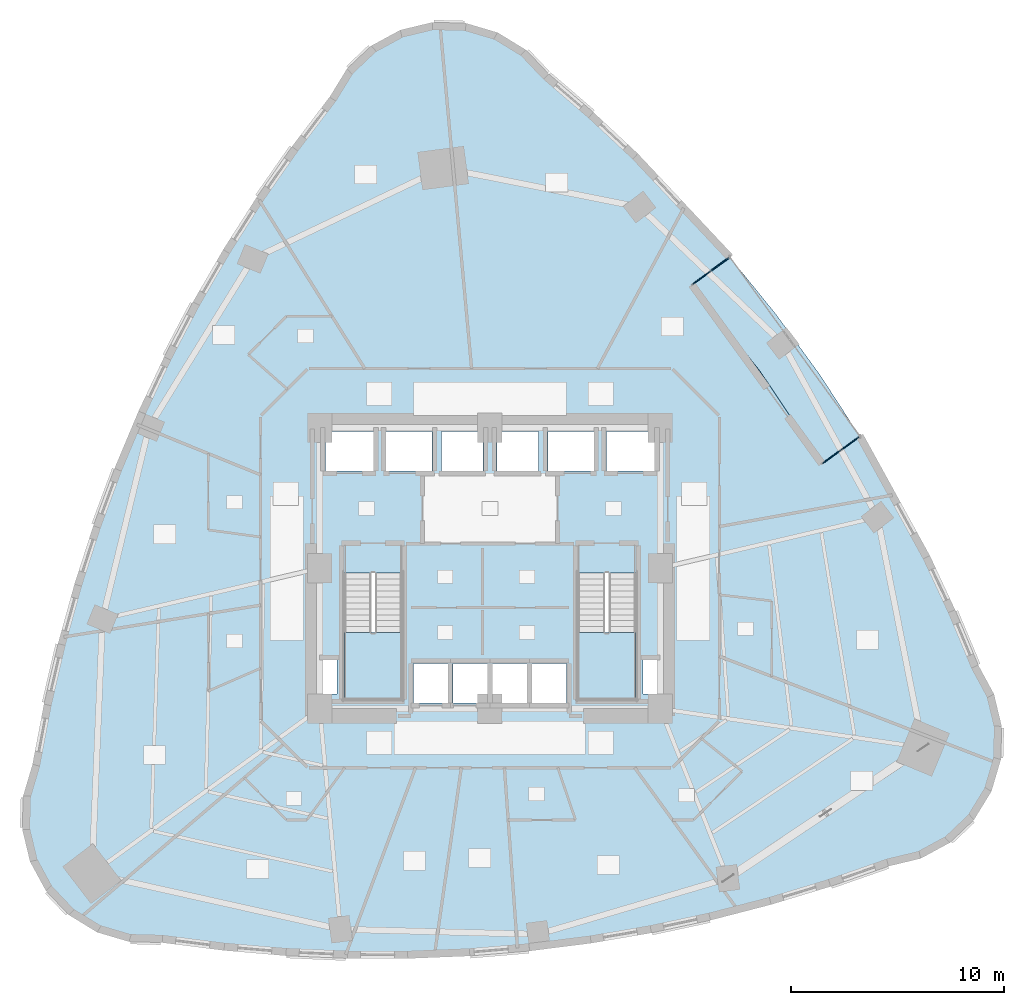
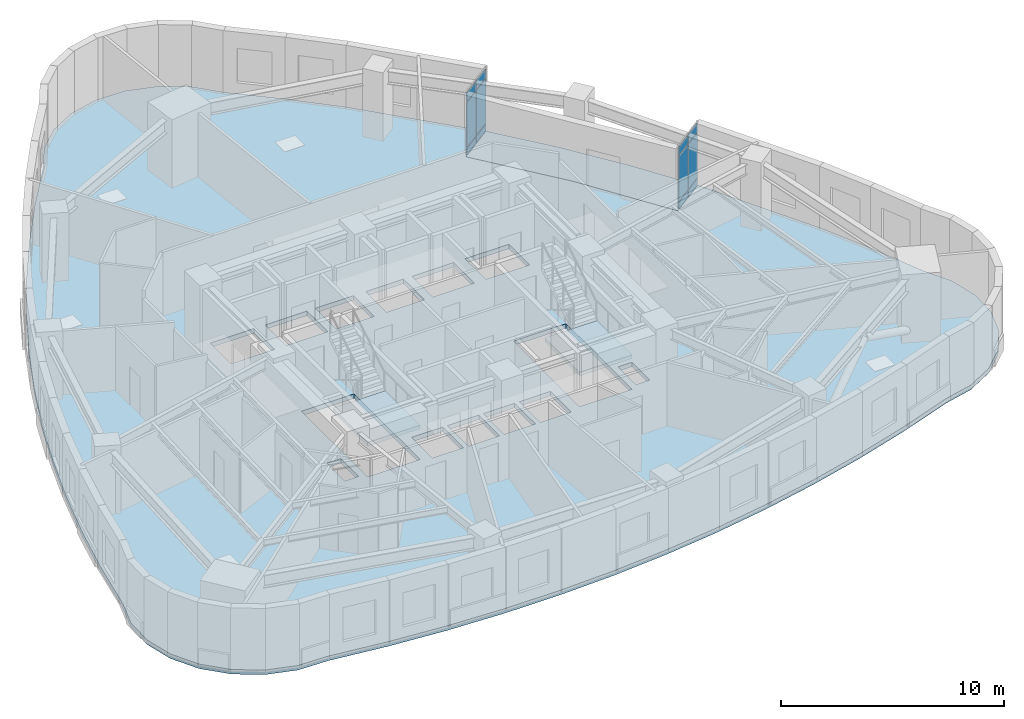
# One storey, part 7 of 15: 12 plates, 4 slabs, 4 elements without a shape of their own.
"""IFC4 building model written with IfcOpenShell, lengths in metres."""

from ifc_helpers import new_model, si_unit, direction, frame, origin, origin_2d, place, context, subcontext, project, spatial, polyline, rectangle, outline, extrude, material, layer, layer_set, type_object, element, aggregate, save


model = new_model("IFC4")

# Units and contexts
model_context = context("Model", 3, precision=1e-05, world=origin(), true_north=direction((0.0, 1.0)))
body_context = subcontext(model_context, "Body", "Model", "MODEL_VIEW")
ifc_project = project(units=[si_unit("LENGTHUNIT", "METRE"), si_unit("AREAUNIT", "SQUARE_METRE"), si_unit("VOLUMEUNIT", "CUBIC_METRE"), si_unit("PLANEANGLEUNIT", "RADIAN"), si_unit("MASSUNIT", "GRAM", prefix="KILO")], contexts=[model_context])

# Site, building, storey
site_placement = place(None, origin())
site = spatial("IfcSite", under=ifc_project, at=site_placement, CompositionType="ELEMENT")
building_placement = place(site_placement, origin())
building = spatial("IfcBuilding", under=site, at=building_placement, Name="Ndelora Gate Hotel", CompositionType="ELEMENT")
storey_placement = place(building_placement, frame((0.0, 0.0, 56.75)))
storey = spatial("IfcBuildingStorey", under=building, at=storey_placement, Name="L13", CompositionType="ELEMENT", Elevation=56.75)

# Curtain wall, plates
ifc_material_1 = material(Name="Bronze Anodised Unitised Aluminium and Low-E Glass", Category="aluminium")
ifc_layer_1 = layer(ifc_material_1, 0.199951171875)
ifc_layer_set_1 = layer_set([ifc_layer_1], Name="Bronze Anodised Unitised Aluminium and Low-E Glass")
curtain_wall_type = type_object("IfcCurtainWallType", Name="CW-SYS-3", PredefinedType="NOTDEFINED", material=ifc_layer_set_1)
curtain_wall_1_placement = place(storey_placement, origin())
curtain_wall_1 = element("IfcCurtainWall", 1, at=curtain_wall_1_placement, inside=storey, type_object=curtain_wall_type, Name="L13 Sky-Garden Loggia Side Curtain Wall CW3-1", PredefinedType="NOTDEFINED")
ifc_material_2 = material(Name="Solar-Control Low-E Insulated Glazing", Category="glass")
ifc_layer_2 = layer(ifc_material_2, 0.048095703125)
ifc_layer_set_2 = layer_set([ifc_layer_2], Name="Solar-Control Low-E Insulated Glazing")
plate_type = type_object("IfcPlateType", Name="PL-CW-GLZ36", PredefinedType="CURTAIN_PANEL", material=ifc_layer_set_2)
plate_1_placement = place(storey_placement, frame((16.055908203125, 5.237548828125, 0.05908203125), z_axis=(0.0, 0.0, 1.0), x_axis=(0.809017078969, 0.587785135859, 0.0)))
plate_1 = element("IfcPlate", 2, at=plate_1_placement, type_object=plate_type, Name="CW3 panel 1.1", PredefinedType="CURTAIN_PANEL", context=body_context, shape_type="SweptSolid", body=[
    extrude(rectangle(XDim=1.014404296875, YDim=0.048095703125, at=origin_2d()), origin(), (0.0, 0.0, 1.0), 0.364501953125),
])
plate_2_placement = place(storey_placement, frame((16.055908203125, 5.237548828125, 0.4765625), z_axis=(0.0, 0.0, 1.0), x_axis=(0.809017078969, 0.587785135859, 0.0)))
plate_2 = element("IfcPlate", 3, at=plate_2_placement, type_object=plate_type, Name="CW3 panel 1.2", PredefinedType="CURTAIN_PANEL", context=body_context, shape_type="SweptSolid", body=[
    extrude(rectangle(XDim=1.014404296875, YDim=0.048095703125, at=origin_2d()), origin(), (0.0, 0.0, 1.0), 2.447021484375),
])
plate_3_placement = place(storey_placement, frame((16.055908203125, 5.237548828125, 2.9765625), z_axis=(0.0, 0.0, 1.0), x_axis=(0.809017078969, 0.587785135859, 0.0)))
plate_3 = element("IfcPlate", 4, at=plate_3_placement, type_object=plate_type, Name="CW3 panel 1.3", PredefinedType="CURTAIN_PANEL", context=body_context, shape_type="SweptSolid", body=[
    extrude(rectangle(XDim=1.014404296875, YDim=0.048095703125, at=origin_2d()), origin(), (0.0, 0.0, 1.0), 0.464599609375),
])
plate_4_placement = place(storey_placement, frame((16.91943359375, 5.864990234375, 0.05908203125), z_axis=(0.0, 0.0, 1.0), x_axis=(0.809017078969, 0.587785135859, 0.0)))
plate_4 = element("IfcPlate", 5, at=plate_4_placement, type_object=plate_type, Name="CW3 panel 2.1", PredefinedType="CURTAIN_PANEL", context=body_context, shape_type="SweptSolid", body=[
    extrude(rectangle(XDim=1.014404296875, YDim=0.048095703125, at=origin_2d()), origin(), (0.0, 0.0, 1.0), 0.364501953125),
])
plate_5_placement = place(storey_placement, frame((16.91943359375, 5.864990234375, 0.4765625), z_axis=(0.0, 0.0, 1.0), x_axis=(0.809017078969, 0.587785135859, 0.0)))
plate_5 = element("IfcPlate", 6, at=plate_5_placement, type_object=plate_type, Name="CW3 panel 2.2", PredefinedType="CURTAIN_PANEL", context=body_context, shape_type="SweptSolid", body=[
    extrude(rectangle(XDim=1.014404296875, YDim=0.048095703125, at=origin_2d()), origin(), (0.0, 0.0, 1.0), 2.447021484375),
])
plate_6_placement = place(storey_placement, frame((16.91943359375, 5.864990234375, 2.9765625), z_axis=(0.0, 0.0, 1.0), x_axis=(0.809017078969, 0.587785135859, 0.0)))
plate_6 = element("IfcPlate", 7, at=plate_6_placement, type_object=plate_type, Name="CW3 panel 2.3", PredefinedType="CURTAIN_PANEL", context=body_context, shape_type="SweptSolid", body=[
    extrude(rectangle(XDim=1.014404296875, YDim=0.048095703125, at=origin_2d()), origin(), (0.0, 0.0, 1.0), 0.464599609375),
])
aggregate(curtain_wall_1, [plate_1, plate_2, plate_3, plate_4, plate_5, plate_6])

curtain_wall_2_placement = place(storey_placement, origin())
curtain_wall_2 = element("IfcCurtainWall", 8, at=curtain_wall_2_placement, inside=storey, type_object=curtain_wall_type, Name="L13 Sky-Garden Loggia Side Curtain Wall CW3-2", PredefinedType="NOTDEFINED")
plate_7_placement = place(storey_placement, frame((10.806396484375, 14.27880859375, 0.05908203125), z_axis=(0.0, 0.0, 1.0), x_axis=(-0.809017078969, -0.587785135859, 0.0)))
plate_7 = element("IfcPlate", 9, at=plate_7_placement, type_object=plate_type, Name="CW3 panel 1.1", PredefinedType="CURTAIN_PANEL", context=body_context, shape_type="SweptSolid", body=[
    extrude(rectangle(XDim=1.014404296875, YDim=0.048095703125, at=origin_2d()), origin(), (0.0, 0.0, 1.0), 0.364501953125),
])
plate_8_placement = place(storey_placement, frame((10.806396484375, 14.27880859375, 0.4765625), z_axis=(0.0, 0.0, 1.0), x_axis=(-0.809017078969, -0.587785135859, 0.0)))
plate_8 = element("IfcPlate", 10, at=plate_8_placement, type_object=plate_type, Name="CW3 panel 1.2", PredefinedType="CURTAIN_PANEL", context=body_context, shape_type="SweptSolid", body=[
    extrude(rectangle(XDim=1.014404296875, YDim=0.048095703125, at=origin_2d()), origin(), (0.0, 0.0, 1.0), 2.447021484375),
])
plate_9_placement = place(storey_placement, frame((10.806396484375, 14.27880859375, 2.9765625), z_axis=(0.0, 0.0, 1.0), x_axis=(-0.809017078969, -0.587785135859, 0.0)))
plate_9 = element("IfcPlate", 11, at=plate_9_placement, type_object=plate_type, Name="CW3 panel 1.3", PredefinedType="CURTAIN_PANEL", context=body_context, shape_type="SweptSolid", body=[
    extrude(rectangle(XDim=1.014404296875, YDim=0.048095703125, at=origin_2d()), origin(), (0.0, 0.0, 1.0), 0.464599609375),
])
plate_10_placement = place(storey_placement, frame((9.94287109375, 13.6513671875, 0.05908203125), z_axis=(0.0, 0.0, 1.0), x_axis=(-0.809017078969, -0.587785135859, 0.0)))
plate_10 = element("IfcPlate", 12, at=plate_10_placement, type_object=plate_type, Name="CW3 panel 2.1", PredefinedType="CURTAIN_PANEL", context=body_context, shape_type="SweptSolid", body=[
    extrude(rectangle(XDim=1.014404296875, YDim=0.048095703125, at=origin_2d()), origin(), (0.0, 0.0, 1.0), 0.364501953125),
])
plate_11_placement = place(storey_placement, frame((9.94287109375, 13.6513671875, 0.4765625), z_axis=(0.0, 0.0, 1.0), x_axis=(-0.809017078969, -0.587785135859, 0.0)))
plate_11 = element("IfcPlate", 13, at=plate_11_placement, type_object=plate_type, Name="CW3 panel 2.2", PredefinedType="CURTAIN_PANEL", context=body_context, shape_type="SweptSolid", body=[
    extrude(rectangle(XDim=1.014404296875, YDim=0.048095703125, at=origin_2d()), origin(), (0.0, 0.0, 1.0), 2.447021484375),
])
plate_12_placement = place(storey_placement, frame((9.94287109375, 13.6513671875, 2.9765625), z_axis=(0.0, 0.0, 1.0), x_axis=(-0.809017078969, -0.587785135859, 0.0)))
plate_12 = element("IfcPlate", 14, at=plate_12_placement, type_object=plate_type, Name="CW3 panel 2.3", PredefinedType="CURTAIN_PANEL", context=body_context, shape_type="SweptSolid", body=[
    extrude(rectangle(XDim=1.014404296875, YDim=0.048095703125, at=origin_2d()), origin(), (0.0, 0.0, 1.0), 0.464599609375),
])
aggregate(curtain_wall_2, [plate_7, plate_8, plate_9, plate_10, plate_11, plate_12])

# Stair, slab
ifc_material_3 = material(Name="Precast concrete C40/50", Category="concrete")
stair_type = type_object("IfcStairType", Name="STR-DOG-CORE", PredefinedType="HALF_TURN_STAIR", material=ifc_material_3)
stair_1_placement = place(storey_placement, origin())
stair_1 = element("IfcStair", 15, at=stair_1_placement, inside=storey, type_object=stair_type, Name="L13 Protected Core Exit Stair ST4", PredefinedType="HALF_TURN_STAIR")
ifc_layer_3 = layer(ifc_material_3, 0.219970703125)
ifc_layer_set_3 = layer_set([ifc_layer_3], Name="Precast concrete C40/50")
slab_type_1 = type_object("IfcSlabType", Name="SL-LAND-220", PredefinedType="LANDING", material=ifc_layer_set_3)
slab_1_placement = place(storey_placement, frame((0.0, 0.0, 1.675048828125)))
slab_1 = element("IfcSlab", 16, at=slab_1_placement, type_object=slab_type_1, Name="ST4 landing 1", PredefinedType="LANDING", context=body_context, shape_type="SweptSolid", body=[
    extrude(outline(polyline([(-6.85009765625, -3.030029296875), (-6.85009765625, -6.14990234375), (-4.1298828125, -6.14990234375), (-4.1298828125, -3.030029296875), (-6.85009765625, -3.030029296875)])), origin(), (0.0, 0.0, 1.0), 0.199951171875),
])
aggregate(stair_1, [slab_1])

stair_2_placement = place(storey_placement, origin())
stair_2 = element("IfcStair", 17, at=stair_2_placement, inside=storey, type_object=stair_type, Name="L13 Protected Core Exit Stair ST5", PredefinedType="HALF_TURN_STAIR")
slab_2_placement = place(storey_placement, frame((0.0, 0.0, 1.675048828125)))
slab_2 = element("IfcSlab", 18, at=slab_2_placement, type_object=slab_type_1, Name="ST5 landing 1", PredefinedType="LANDING", context=body_context, shape_type="SweptSolid", body=[
    extrude(outline(polyline([(4.1298828125, -3.030029296875), (4.1298828125, -6.14990234375), (6.85009765625, -6.14990234375), (6.85009765625, -3.030029296875), (4.1298828125, -3.030029296875)])), origin(), (0.0, 0.0, 1.0), 0.199951171875),
])
aggregate(stair_2, [slab_2])

# Slabs
ifc_layer_4 = layer(ifc_material_3, 0.239990234375)
ifc_layer_set_4 = layer_set([ifc_layer_4], Name="Precast concrete C40/50")
slab_type_2 = type_object("IfcSlabType", Name="SL-TER-240", PredefinedType="FLOOR", material=ifc_layer_set_4)
slab_3_placement = place(storey_placement, frame((0.0, 0.0, -0.239990234375)))
element("IfcSlab", 19, at=slab_3_placement, inside=storey, type_object=slab_type_2, Name="L13 Sky Garden Loggia Terrace Slab", PredefinedType="FLOOR", context=body_context, shape_type="SweptSolid", body=[
    extrude(outline(polyline([(15.59765625, 4.90478515625), (17.37744140625, 6.197998046875), (15.5048828125, 9.07958984375), (13.426513671875, 11.940185546875), (11.264404296875, 14.61181640625), (9.484619140625, 13.318603515625), (12.70458984375, 9.23046875), (15.59765625, 4.90478515625)])), origin(), (0.0, 0.0, 1.0), 0.239990234375),
])
ifc_material_4 = material(Name="Concrete C40/50", Category="concrete")
ifc_layer_5 = layer(ifc_material_4, 0.25)
ifc_layer_set_5 = layer_set([ifc_layer_5], Name="Concrete C40/50")
slab_type_3 = type_object("IfcSlabType", Name="SL-TWR-250", PredefinedType="FLOOR", material=ifc_layer_set_5)
slab_4_placement = place(storey_placement, frame((0.0, 0.0, -0.25)))
element("IfcSlab", 20, at=slab_4_placement, inside=storey, type_object=slab_type_3, Name="L13 Structural Floor Slab", PredefinedType="FLOOR", context=body_context, shape_type="SweptSolid", body=[
    extrude(outline(polyline([(2.621826171875, 23.1083984375), (1.57958984375, 24.206787109375), (0.28857421875, 24.997802734375), (-1.1630859375, 25.427978515625), (-2.6767578125, 25.467529296875), (-4.14892578125, 25.114013671875), (-5.4794921875, 24.3916015625), (-6.577880859375, 23.349365234375), (-7.368896484375, 22.058349609375), (-9.14599609375, 19.719970703125), (-10.811279296875, 17.331787109375), (-12.364990234375, 14.89404296875), (-13.806884765625, 12.406494140625), (-15.137451171875, 9.869140625), (-16.356201171875, 7.2822265625), (-17.463134765625, 4.6455078125), (-18.45849609375, 1.958984375), (-19.34228515625, -0.777099609375), (-20.1142578125, -3.56298828125), (-20.774658203125, -6.3984375), (-21.323486328125, -9.28369140625), (-21.75341796875, -10.7353515625), (-21.793212890625, -12.2490234375), (-21.439697265625, -13.72119140625), (-20.71728515625, -15.052001953125), (-19.6748046875, -16.150146484375), (-18.384033203125, -16.94140625), (-16.93212890625, -17.371337890625), (-15.418701171875, -17.410888671875), (-12.5048828125, -17.78076171875), (-9.604248046875, -18.02880859375), (-6.716064453125, -18.155517578125), (-3.8408203125, -18.160400390625), (-0.978271484375, -18.0439453125), (1.87158203125, -17.805908203125), (4.70849609375, -17.4462890625), (7.53271484375, -16.965087890625), (10.343994140625, -16.3623046875), (13.142578125, -15.637939453125), (15.9287109375, -14.792236328125), (18.70166015625, -13.82470703125), (20.173828125, -13.47119140625), (21.50439453125, -12.748779296875), (22.602783203125, -11.70654296875), (23.393798828125, -10.415771484375), (23.823974609375, -8.9638671875), (23.863525390625, -7.4501953125), (23.510009765625, -5.97802734375), (22.78759765625, -4.6474609375), (21.698486328125, -2.04638671875), (20.51806640625, 0.48876953125), (17.37744140625, 6.197998046875), (15.59765625, 4.90478515625), (12.70458984375, 9.23046875), (9.484619140625, 13.318603515625), (11.264404296875, 14.61181640625), (6.80517578125, 19.36279296875), (4.759033203125, 21.268798828125), (2.621826171875, 23.1083984375)]), holes=[polyline([(-6.85009765625, -0.22998046875), (-6.85009765625, -6.14990234375), (-4.1298828125, -6.14990234375), (-4.1298828125, -0.22998046875), (-6.85009765625, -0.22998046875)]), polyline([(4.1298828125, -0.22998046875), (4.1298828125, -6.14990234375), (6.85009765625, -6.14990234375), (6.85009765625, -0.22998046875), (4.1298828125, -0.22998046875)]), polyline([(-7.72998046875, 4.570068359375), (-5.469970703125, 4.570068359375), (-5.469970703125, 6.429931640625), (-7.72998046875, 6.429931640625), (-7.72998046875, 4.570068359375)]), polyline([(5.469970703125, 4.570068359375), (7.72998046875, 4.570068359375), (7.72998046875, 6.429931640625), (5.469970703125, 6.429931640625), (5.469970703125, 4.570068359375)]), polyline([(-4.8798828125, 4.570068359375), (-2.719970703125, 4.570068359375), (-2.719970703125, 6.429931640625), (-4.8798828125, 6.429931640625), (-4.8798828125, 4.570068359375)]), polyline([(2.719970703125, 4.570068359375), (4.8798828125, 4.570068359375), (4.8798828125, 6.429931640625), (2.719970703125, 6.429931640625), (2.719970703125, 4.570068359375)]), polyline([(-3.60009765625, -6.330078125), (-1.97998046875, -6.330078125), (-1.97998046875, -4.469970703125), (-3.60009765625, -4.469970703125), (-3.60009765625, -6.330078125)]), polyline([(-1.739990234375, -6.330078125), (-0.1201171875, -6.330078125), (-0.1201171875, -4.469970703125), (-1.739990234375, -4.469970703125), (-1.739990234375, -6.330078125)]), polyline([(0.1201171875, -6.330078125), (1.739990234375, -6.330078125), (1.739990234375, -4.469970703125), (0.1201171875, -4.469970703125), (0.1201171875, -6.330078125)]), polyline([(1.97998046875, -6.330078125), (3.60009765625, -6.330078125), (3.60009765625, -4.469970703125), (1.97998046875, -4.469970703125), (1.97998046875, -6.330078125)]), polyline([(-2.280029296875, 4.570068359375), (-0.320068359375, 4.570068359375), (-0.320068359375, 6.429931640625), (-2.280029296875, 6.429931640625), (-2.280029296875, 4.570068359375)]), polyline([(0.320068359375, 4.570068359375), (2.280029296875, 4.570068359375), (2.280029296875, 6.429931640625), (0.320068359375, 6.429931640625), (0.320068359375, 4.570068359375)]), polyline([(-7.89990234375, -5.919921875), (-7.179931640625, -5.919921875), (-7.179931640625, -4.320068359375), (-7.89990234375, -4.320068359375), (-7.89990234375, -5.919921875)]), polyline([(7.179931640625, -5.919921875), (7.89990234375, -5.919921875), (7.89990234375, -4.320068359375), (7.179931640625, -4.320068359375), (7.179931640625, -5.919921875)])]), origin(), (0.0, 0.0, 1.0), 0.25),
])

save(model, "model.ifc")
